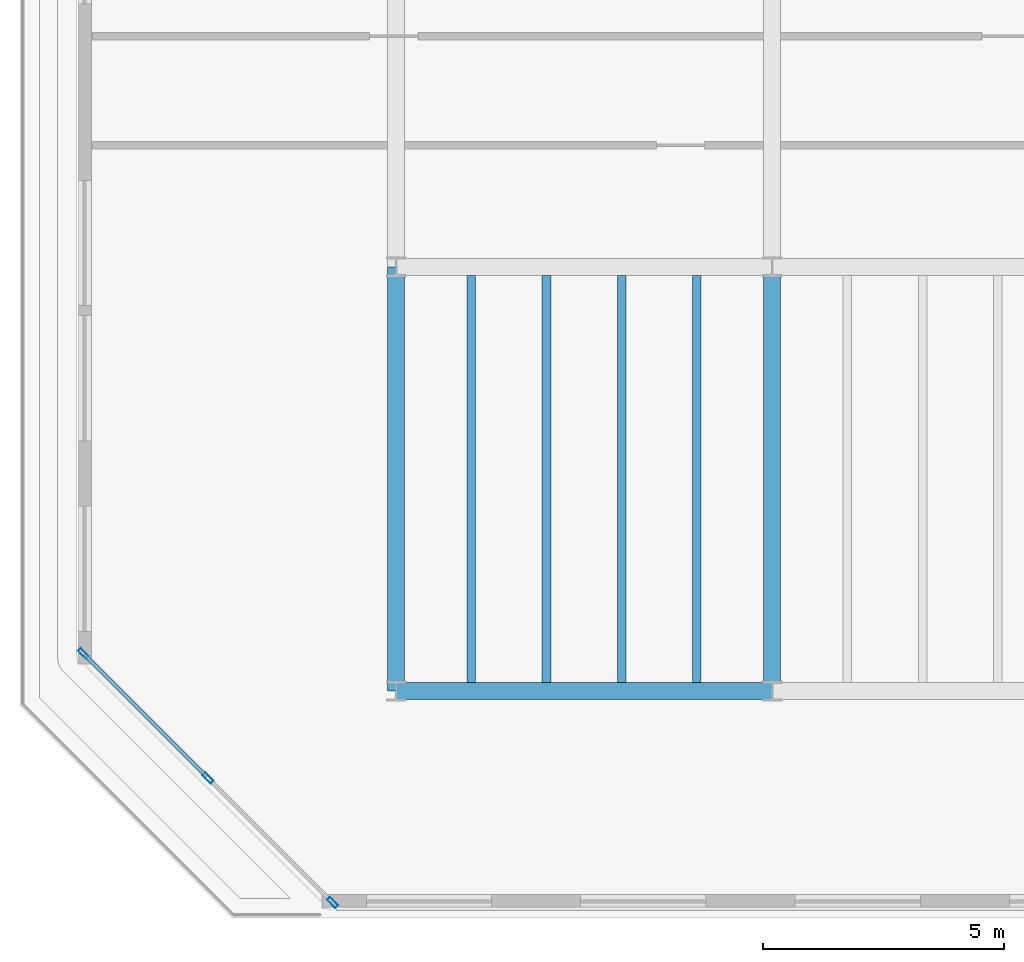
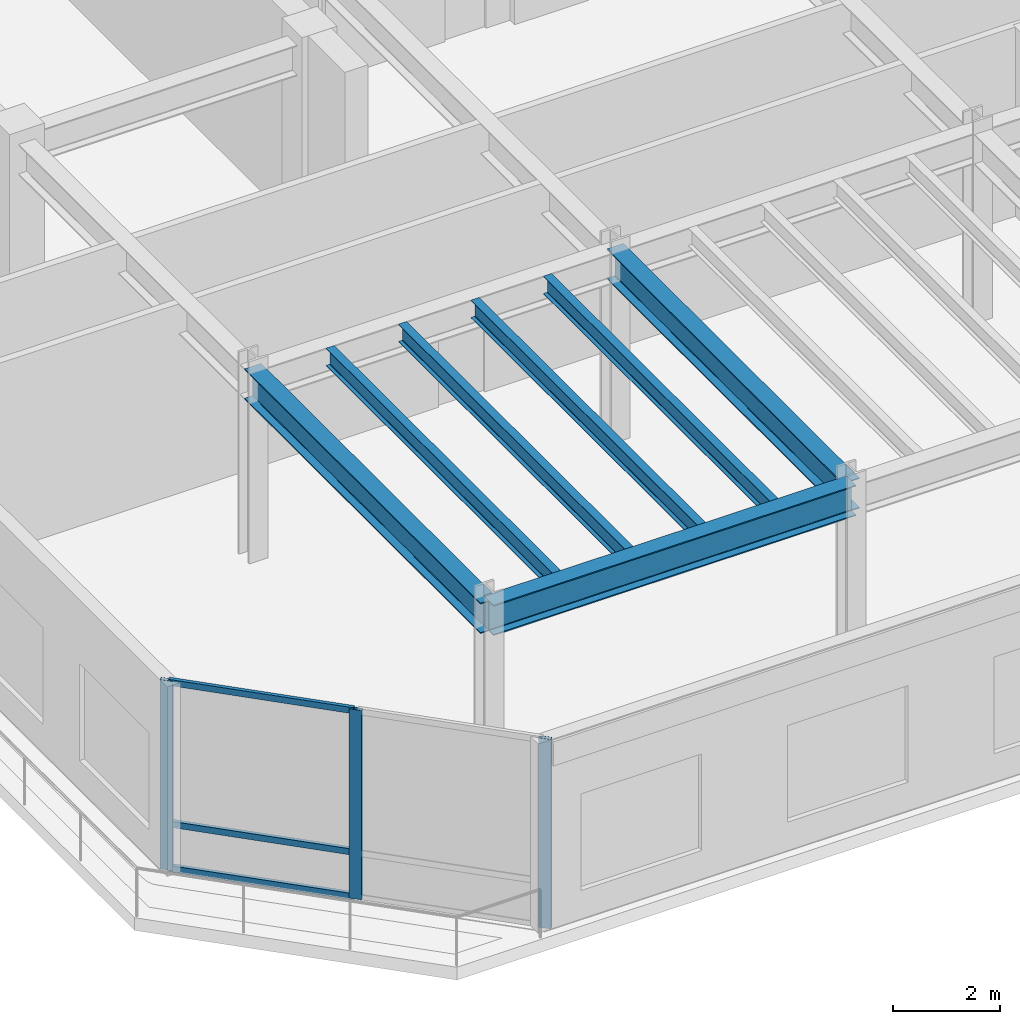
# One storey, part 2 of 14: 7 beams, 6 members, 1 element without a shape of its own.
"""IFC4 building model written with IfcOpenShell, lengths in metres."""

from ifc_helpers import new_model, si_unit, direction, frame, origin, origin_2d, place, context, subcontext, project, spatial, hollow_rectangle, i_section, extrude, material, layer, layer_set, material_profile, profile_set, type_object, element, aggregate, save


model = new_model("IFC4")

# Units and contexts
model_context = context("Model", 3, precision=1e-05, world=origin(), true_north=direction((0.0, 1.0)))
body_context = subcontext(model_context, "Body", "Model", "MODEL_VIEW")
ifc_project = project(units=[si_unit("LENGTHUNIT", "METRE"), si_unit("AREAUNIT", "SQUARE_METRE"), si_unit("VOLUMEUNIT", "CUBIC_METRE"), si_unit("PLANEANGLEUNIT", "RADIAN"), si_unit("MASSUNIT", "GRAM", prefix="KILO")], contexts=[model_context])

# Site, building, storey
site_placement = place(None, origin())
site = spatial("IfcSite", under=ifc_project, at=site_placement, CompositionType="ELEMENT")
building_placement = place(site_placement, origin())
building = spatial("IfcBuilding", under=site, at=building_placement, Name="Kestravale Grand Hotel", CompositionType="ELEMENT")
storey_placement = place(building_placement, frame((0.0, 0.0, 297.39990234375)))
storey = spatial("IfcBuildingStorey", under=building, at=storey_placement, Name="L74", CompositionType="ELEMENT", Elevation=297.39990234375)

# Beams
ifc_material_1 = material(Name="Steel ASTM A992 Grade 50", Category="steel")
ifc_material_profile_1 = material_profile(ifc_material_1, i_section(OverallWidth=0.177978515625, OverallDepth=0.404052734375, WebThickness=0.007568359375, FlangeThickness=0.010986328125, FilletRadius=0.01416015625, at=origin_2d()))
ifc_profile_set_1 = profile_set([ifc_material_profile_1], Name="Steel ASTM A992 Grade 50")
beam_type_1 = type_object("IfcBeamType", Name="B-FLR-JST16", PredefinedType="JOIST", material=ifc_profile_set_1)
for number, where, z_axis, x_axis, name in (
    (1, (17.159912109375, 11.3779296875, 4.108154296875), (0.0, 1.0, 0.0), (-1.0, 0.0, 0.0), "L74 floor joist 3-4/C-D #1"),
    (2, (18.719970703125, 11.3779296875, 4.108154296875), (0.0, 1.0, 0.0), (-1.0, 0.0, 0.0), "L74 floor joist 3-4/C-D #2"),
    (3, (20.280029296875, 11.3779296875, 4.108154296875), (0.0, 1.0, 0.0), (-1.0, 0.0, 0.0), "L74 floor joist 3-4/C-D #3"),
    (4, (21.840087890625, 11.3779296875, 4.108154296875), (0.0, 1.0, 0.0), (-1.0, 0.0, 0.0), "L74 floor joist 3-4/C-D #4"),
):
    element("IfcBeam", number, at=place(storey_placement, frame(where, z_axis=z_axis, x_axis=x_axis)), inside=storey, type_object=beam_type_1, Name=name, PredefinedType="JOIST", context=body_context, shape_type="SweptSolid", body=[
        extrude(i_section(OverallWidth=0.177978515625, OverallDepth=0.404052734375, WebThickness=0.007568359375, FlangeThickness=0.010986328125, FilletRadius=0.01416015625, at=origin_2d()), origin(), (0.0, 0.0, 1.0), 8.444091796875),
    ])
ifc_material_2 = material(Name="Steel ASTM A992 Grade 50", Category="steel")
ifc_material_profile_2 = material_profile(ifc_material_2, i_section(OverallWidth=0.35595703125, OverallDepth=0.696044921875, WebThickness=0.015380859375, FlangeThickness=0.02490234375, FilletRadius=0.021240234375, at=origin_2d()))
ifc_profile_set_2 = profile_set([ifc_material_profile_2], Name="Steel ASTM A992 Grade 50")
beam_type_2 = type_object("IfcBeamType", Name="B-GRD-W27", PredefinedType="BEAM", material=ifc_profile_set_2)
beam_placement = place(storey_placement, frame((15.60009765625, 11.199951171875, 3.962158203125), z_axis=(1.0, 0.0, 0.0), x_axis=(0.0, 1.0, 0.0)))
element("IfcBeam", 5, at=beam_placement, inside=storey, type_object=beam_type_2, Name="L74 girder C:3-4", PredefinedType="BEAM", context=body_context, shape_type="SweptSolid", body=[
    extrude(i_section(OverallWidth=0.35595703125, OverallDepth=0.696044921875, WebThickness=0.015380859375, FlangeThickness=0.02490234375, FilletRadius=0.021240234375, at=origin_2d()), origin(), (0.0, 0.0, 1.0), 7.7998046875),
])
for number, where, z_axis, x_axis, name in (
    (6, (15.60009765625, 11.199951171875, 3.962158203125), (0.0, 1.0, 0.0), (-1.0, 0.0, 0.0), "L74 girder 3:C-D"),
    (7, (23.39990234375, 11.199951171875, 3.962158203125), (0.0, 1.0, 0.0), (-1.0, 0.0, 0.0), "L74 girder 4:C-D"),
):
    element("IfcBeam", number, at=place(storey_placement, frame(where, z_axis=z_axis, x_axis=x_axis)), inside=storey, type_object=beam_type_2, Name=name, PredefinedType="BEAM", context=body_context, shape_type="SweptSolid", body=[
        extrude(i_section(OverallWidth=0.35595703125, OverallDepth=0.696044921875, WebThickness=0.015380859375, FlangeThickness=0.02490234375, FilletRadius=0.021240234375, at=origin_2d()), origin(), (0.0, 0.0, 1.0), 8.800048828125),
    ])

# Curtain wall, members
ifc_material_3 = material(Name="Thermally broken champagne-bronze aluminium and low-E glazing", Category="aluminium")
ifc_layer = layer(ifc_material_3, 0.239990234375)
ifc_layer_set = layer_set([ifc_layer], Name="CW-OBS")
curtain_wall_type = type_object("IfcCurtainWallType", Name="CW-OBS", PredefinedType="NOTDEFINED", material=ifc_layer_set)
curtain_wall_placement = place(storey_placement, origin())
curtain_wall = element("IfcCurtainWall", 8, at=curtain_wall_placement, inside=storey, type_object=curtain_wall_type, Name="L74 unitised curtain wall 20", PredefinedType="NOTDEFINED")
ifc_material_4 = material(Name="Aluminium 6063-T6 anodised", Category="aluminium")
ifc_material_profile_3 = material_profile(ifc_material_4, hollow_rectangle(XDim=0.0849609375, YDim=0.239990234375, WallThickness=0.00439453125, at=origin_2d()))
ifc_profile_set_3 = profile_set([ifc_material_profile_3], Name="Aluminium 6063-T6 anodised")
member_type_1 = type_object("IfcMemberType", Name="CW-MUL-240", PredefinedType="MULLION", material=ifc_profile_set_3)
member_1_placement = place(storey_placement, frame((9.11474609375, 11.983154296875, 0.0), z_axis=(0.0, 0.0, 1.0), x_axis=(0.707106781187, 0.707106781187, 0.0)))
member_1 = element("IfcMember", 9, at=member_1_placement, type_object=member_type_1, Name="CW-OBS mullion 1", PredefinedType="MULLION", context=body_context, shape_type="SweptSolid", body=[
    extrude(hollow_rectangle(XDim=0.0849609375, YDim=0.239990234375, WallThickness=0.00439453125, at=origin_2d()), origin(), (0.0, 0.0, 1.0), 4.31005859375),
])
member_2_placement = place(storey_placement, frame((11.698974609375, 9.39892578125, 0.0), z_axis=(0.0, 0.0, 1.0), x_axis=(0.707106781187, 0.707106781187, 0.0)))
member_2 = element("IfcMember", 10, at=member_2_placement, type_object=member_type_1, Name="CW-OBS mullion 2", PredefinedType="MULLION", context=body_context, shape_type="SweptSolid", body=[
    extrude(hollow_rectangle(XDim=0.0849609375, YDim=0.239990234375, WallThickness=0.00439453125, at=origin_2d()), origin(), (0.0, 0.0, 1.0), 4.31005859375),
])
member_3_placement = place(storey_placement, frame((14.283203125, 6.81494140625, 0.0), z_axis=(0.0, 0.0, 1.0), x_axis=(0.707106781187, 0.707106781187, 0.0)))
member_3 = element("IfcMember", 11, at=member_3_placement, type_object=member_type_1, Name="CW-OBS mullion 3", PredefinedType="MULLION", context=body_context, shape_type="SweptSolid", body=[
    extrude(hollow_rectangle(XDim=0.0849609375, YDim=0.239990234375, WallThickness=0.00439453125, at=origin_2d()), origin(), (0.0, 0.0, 1.0), 4.31005859375),
])
ifc_material_5 = material(Name="Aluminium 6063-T6 anodised", Category="aluminium")
ifc_material_profile_4 = material_profile(ifc_material_5, hollow_rectangle(XDim=0.074951171875, YDim=0.139892578125, WallThickness=0.00341796875, at=origin_2d()))
ifc_profile_set_4 = profile_set([ifc_material_profile_4], Name="Aluminium 6063-T6 anodised")
member_type_2 = type_object("IfcMemberType", Name="CW-TRN-140", PredefinedType="USERDEFINED", material=ifc_profile_set_4)
member_4_placement = place(storey_placement, frame((9.14501953125, 11.953125, 0.03759765625), z_axis=(0.707072582614, -0.707140978105, 0.0), x_axis=(0.707140978105, 0.707072582614, 0.0)))
member_4 = element("IfcMember", 12, at=member_4_placement, type_object=member_type_2, Name="CW-OBS transom 1.1", ObjectType="TRANSOM", PredefinedType="USERDEFINED", context=body_context, shape_type="SweptSolid", body=[
    extrude(hollow_rectangle(XDim=0.074951171875, YDim=0.139892578125, WallThickness=0.00341796875, at=origin_2d()), origin(), (0.0, 0.0, 1.0), 3.569580078125),
])
member_5_placement = place(storey_placement, frame((9.14501953125, 11.953125, 1.050048828125), z_axis=(0.707072582614, -0.707140978105, 0.0), x_axis=(0.707140978105, 0.707072582614, 0.0)))
member_5 = element("IfcMember", 13, at=member_5_placement, type_object=member_type_2, Name="CW-OBS transom 1.2", ObjectType="TRANSOM", PredefinedType="USERDEFINED", context=body_context, shape_type="SweptSolid", body=[
    extrude(hollow_rectangle(XDim=0.074951171875, YDim=0.139892578125, WallThickness=0.00341796875, at=origin_2d()), origin(), (0.0, 0.0, 1.0), 3.569580078125),
])
member_6_placement = place(storey_placement, frame((9.14501953125, 11.953125, 4.272705078125), z_axis=(0.707072582614, -0.707140978105, 0.0), x_axis=(0.707140978105, 0.707072582614, 0.0)))
member_6 = element("IfcMember", 14, at=member_6_placement, type_object=member_type_2, Name="CW-OBS transom 1.3", ObjectType="TRANSOM", PredefinedType="USERDEFINED", context=body_context, shape_type="SweptSolid", body=[
    extrude(hollow_rectangle(XDim=0.074951171875, YDim=0.139892578125, WallThickness=0.00341796875, at=origin_2d()), origin(), (0.0, 0.0, 1.0), 3.569580078125),
])
aggregate(curtain_wall, [member_1, member_2, member_3, member_4, member_5, member_6])

save(model, "model.ifc")
